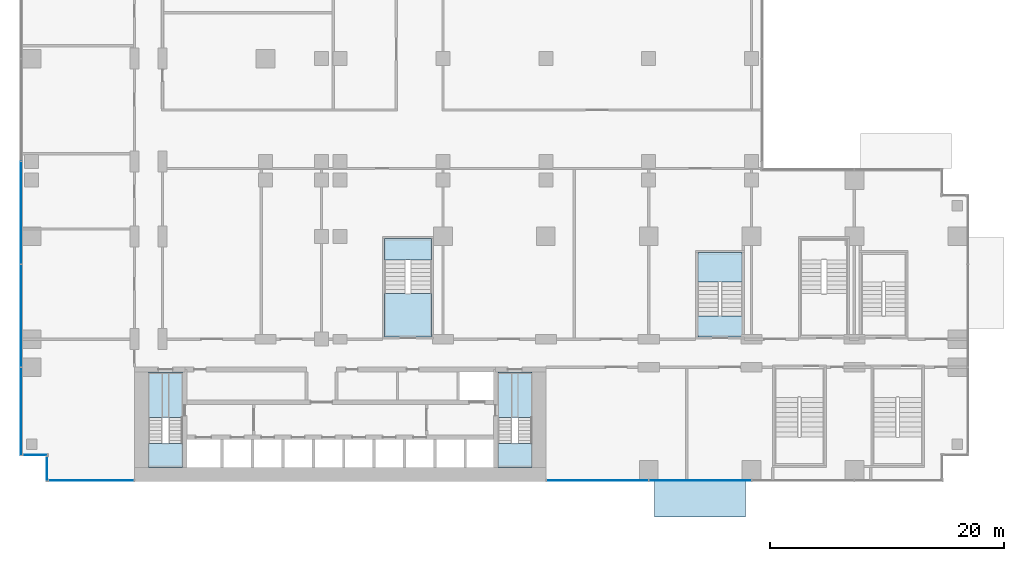
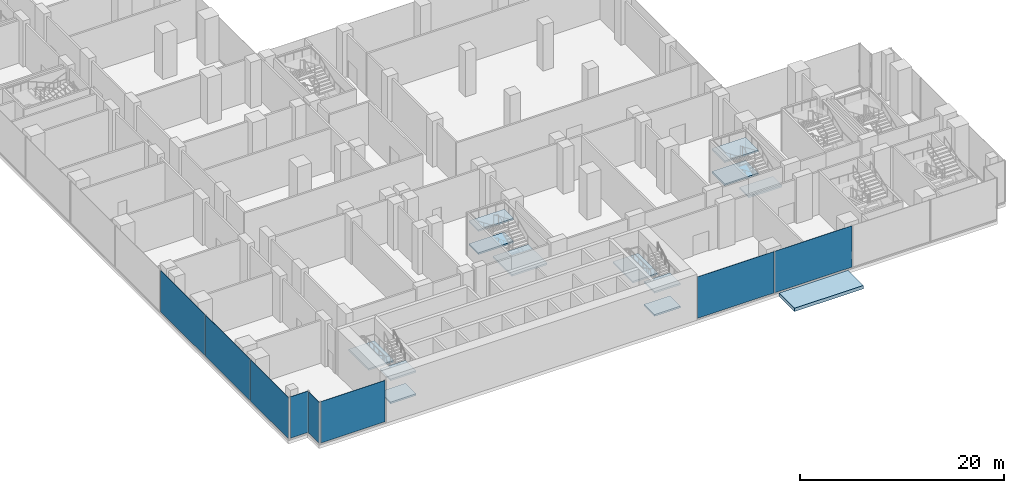
# One storey, part 12 of 30: 13 slabs, 8 plates, 9 elements without a shape of their own.
"""IFC4 building model written with IfcOpenShell, lengths in metres."""

import ifcopenshell
import ifcopenshell.guid

model = None  # the IFC model being written
_history = None  # IfcOwnerHistory: only IFC2X3 demands one
_inside = {}  # id of a spatial element -> (the spatial element, [elements in it])
_under = {}  # id of a project, library or spatial element -> (it, [spatial elements below it])
_declared = {}  # id of a project -> (the project, [libraries it declares])
_typed = {}  # id of a type object -> (the type object, [elements of that type])
_made_of = {}  # id of a material, layer set ... -> (it, [elements and type objects made of it])


def new_model(schema):
    """Start an empty IFC model of exactly this schema.

    Asked for "IFC4X3", IfcOpenShell would pick the latest addendum, in which some entities
    have other attributes; the version numbers below select the first issue.
    IFC2X3 requires an IfcOwnerHistory on every rooted entity: one is made here for all.
    """
    global model, _history
    if schema == "IFC4X3":
        model = ifcopenshell.file(schema_version=(4, 3, 0, 0))
    else:
        model = ifcopenshell.file(schema=schema)
    _inside.clear()
    _under.clear()
    _declared.clear()
    _typed.clear()
    _made_of.clear()
    _history = None
    if model.schema == "IFC2X3":
        org = make("IfcOrganization", Name="unknown")
        user = make(
            "IfcPersonAndOrganization",
            ThePerson=make("IfcPerson", FamilyName="unknown"),
            TheOrganization=org,
        )
        app = make(
            "IfcApplication",
            ApplicationDeveloper=org,
            Version="unknown",
            ApplicationFullName="unknown",
            ApplicationIdentifier="unknown",
        )
        _history = make(
            "IfcOwnerHistory",
            OwningUser=user,
            OwningApplication=app,
            ChangeAction="ADDED",
            CreationDate=0,
        )
    return model


def make(cls, **values):
    """One entity of the class cls with the attributes given. An attribute that is None is left unset."""
    return model.create_entity(
        cls, **{name: value for name, value in values.items() if value is not None}
    )


def rooted(cls, **values):
    """An entity with a GlobalId (a new one), such as an element, a storey or a relation."""
    return make(cls, GlobalId=ifcopenshell.guid.new(), OwnerHistory=_history, **values)


def si_unit(unit_type, name, prefix=None):
    """IfcSIUnit, for example si_unit("LENGTHUNIT", "METRE", prefix="MILLI")."""
    return make("IfcSIUnit", UnitType=unit_type, Prefix=prefix, Name=name)


def assignment(units):
    """IfcUnitAssignment: the units of a project."""
    return None if units is None else make("IfcUnitAssignment", Units=units)


def point(xyz):
    """IfcCartesianPoint."""
    return None if xyz is None else make("IfcCartesianPoint", Coordinates=xyz)


def direction(xyz):
    """IfcDirection."""
    return None if xyz is None else make("IfcDirection", DirectionRatios=xyz)


def frame(location, z_axis=None, x_axis=None):
    """IfcAxis2Placement3D, a coordinate frame: its origin and axes. An axis left out is left unset."""
    return make(
        "IfcAxis2Placement3D",
        Location=point(location),
        Axis=direction(z_axis),
        RefDirection=direction(x_axis),
    )


def frame_2d(location, x_axis=None):
    """IfcAxis2Placement2D, a coordinate frame in the plane: its origin and x axis."""
    return make(
        "IfcAxis2Placement2D", Location=point(location), RefDirection=direction(x_axis)
    )


def origin():
    """The frame at (0, 0, 0) with its axes left unset."""
    return frame((0.0, 0.0, 0.0))


def origin_2d():
    """The frame at (0, 0) in the plane with its x axis left unset."""
    return frame_2d((0.0, 0.0))


def place(relative_to, where):
    """IfcLocalPlacement: puts the frame where relative to a parent placement (None: the world)."""
    return make(
        "IfcLocalPlacement", PlacementRelTo=relative_to, RelativePlacement=where
    )


def context(
    kind, dimensions, precision=None, world=None, true_north=None, identifier=None
):
    """IfcGeometricRepresentationContext, for example the 3D "Model" context."""
    return make(
        "IfcGeometricRepresentationContext",
        ContextIdentifier=identifier,
        ContextType=kind,
        CoordinateSpaceDimension=dimensions,
        Precision=precision,
        WorldCoordinateSystem=world,
        TrueNorth=true_north,
    )


def subcontext(parent, identifier, kind, view, scale=None):
    """IfcGeometricRepresentationSubContext, for example "Body" below "Model"."""
    return make(
        "IfcGeometricRepresentationSubContext",
        ContextIdentifier=identifier,
        ContextType=kind,
        ParentContext=parent,
        TargetScale=scale,
        TargetView=view,
    )


def project(units=None, contexts=None):
    """IfcProject with its units and contexts."""
    return rooted(
        "IfcProject",
        Name="project",
        RepresentationContexts=contexts,
        UnitsInContext=assignment(units),
    )


def spatial(cls, under=None, at=None, **own):
    """A site, building, storey or space (cls), placed at a placement, below another one or the project."""
    s = rooted(cls, ObjectPlacement=at, **own)
    if under is not None:
        _under.setdefault(under.id(), (under, []))[1].append(s)
    return s


def polyline(points):
    """IfcPolyline through the points."""
    return make("IfcPolyline", Points=[point(p) for p in points])


def profile(cls, at=None, kind="AREA", **sizes):
    """A parametric profile (cls). Its sizes go by their IFC names, for example OverallWidth=200.0."""
    return make(cls, ProfileType=kind, Position=at, **sizes)


def rectangle(**sizes):
    """IfcRectangleProfileDef."""
    return profile("IfcRectangleProfileDef", **sizes)


def outline(outer, holes=None, kind="AREA"):
    """IfcArbitraryClosedProfileDef: a profile drawn as a closed curve; with holes, ...WithVoids."""
    if holes is None:
        return make("IfcArbitraryClosedProfileDef", ProfileType=kind, OuterCurve=outer)
    return make(
        "IfcArbitraryProfileDefWithVoids",
        ProfileType=kind,
        OuterCurve=outer,
        InnerCurves=holes,
    )


def extrude(swept, where, along, depth):
    """IfcExtrudedAreaSolid: the profile swept, set in the frame where, extruded along a direction by depth."""
    return make(
        "IfcExtrudedAreaSolid",
        SweptArea=swept,
        Position=where,
        ExtrudedDirection=direction(along),
        Depth=depth,
    )


def shape(context_of_items, identifier, shape_type, items):
    """IfcShapeRepresentation: the items that make up one representation, for example the "Body"."""
    return make(
        "IfcShapeRepresentation",
        ContextOfItems=context_of_items,
        RepresentationIdentifier=identifier,
        RepresentationType=shape_type,
        Items=items,
    )


def source(mapping_origin, context_of_items, identifier, shape_type, items):
    """IfcRepresentationMap: a shape defined once, which mapped items show again and again."""
    return make(
        "IfcRepresentationMap",
        MappingOrigin=mapping_origin,
        MappedRepresentation=shape(context_of_items, identifier, shape_type, items),
    )


def transform(
    local_origin,
    x_axis=None,
    y_axis=None,
    z_axis=None,
    scale=None,
    scale2=None,
    scale3=None,
    uniform=True,
):
    """IfcCartesianTransformationOperator3D, or its non-uniform kind. x_axis, y_axis, z_axis: its Axis1, 2, 3."""
    if uniform:
        return make(
            "IfcCartesianTransformationOperator3D",
            Axis1=direction(x_axis),
            Axis2=direction(y_axis),
            LocalOrigin=point(local_origin),
            Scale=scale,
            Axis3=direction(z_axis),
        )
    return make(
        "IfcCartesianTransformationOperator3DnonUniform",
        Axis1=direction(x_axis),
        Axis2=direction(y_axis),
        LocalOrigin=point(local_origin),
        Scale=scale,
        Axis3=direction(z_axis),
        Scale2=scale2,
        Scale3=scale3,
    )


def mapped(mapping_source, mapping_target):
    """IfcMappedItem: shows the shape of a source again, moved by a transform."""
    return make(
        "IfcMappedItem", MappingSource=mapping_source, MappingTarget=mapping_target
    )


def material(Name=None, Category=None):
    """IfcMaterial."""
    return make("IfcMaterial", Name=Name, Category=Category)


def layer(
    of_material, thickness, ventilated=None, Name=None, Category=None, Priority=None
):
    """IfcMaterialLayer: one layer of a wall or slab, of a material (None: an air gap)."""
    return make(
        "IfcMaterialLayer",
        Material=of_material,
        LayerThickness=thickness,
        IsVentilated=ventilated,
        Name=Name,
        Category=Category,
        Priority=Priority,
    )


def layer_set(layers, Name=None):
    """IfcMaterialLayerSet."""
    return make("IfcMaterialLayerSet", MaterialLayers=layers, LayerSetName=Name)


def made_of(thing, what):
    """Note that an element or type object is made of a material, layer set ...; save() writes the relation."""
    if what is not None:
        _made_of.setdefault(what.id(), (what, []))[1].append(thing)
    return thing


def type_object(cls, material=None, **own):
    """A type object (cls), such as IfcWallType, which elements share."""
    return made_of(rooted(cls, **own), material)


def element(
    cls,
    number,
    at=None,
    inside=None,
    cuts=None,
    type_object=None,
    material=None,
    context=None,
    identifier="Body",
    shape_type=None,
    held_by="IfcProductDefinitionShape",
    body=None,
    shapes=None,
    **own,
):
    """One element of the class cls, such as IfcWall. Its Tag is "e" and its number.

    at: its placement. inside: the storey or other place that contains it. cuts: it is an
    opening in that element (IfcRelVoidsElement). A single representation is given by context,
    identifier, shape_type and body (its items); several are given by shapes. held_by: the class
    of the entity that holds the representations. save() writes the other relations.
    """
    e = rooted(cls, Tag="e%d" % number, ObjectPlacement=at, **own)
    if body is not None:
        shapes = [shape(context, identifier, shape_type, body)]
    if shapes is not None:
        e.Representation = make(held_by, Representations=shapes)
    if inside is not None:
        _inside.setdefault(inside.id(), (inside, []))[1].append(e)
    if cuts is not None:
        rooted(
            "IfcRelVoidsElement", RelatingBuildingElement=cuts, RelatedOpeningElement=e
        )
    if type_object is not None:
        _typed.setdefault(type_object.id(), (type_object, []))[1].append(e)
    return made_of(e, material)


def aggregate(whole, parts):
    """IfcRelAggregates: a whole, such as a stair, and the parts it consists of."""
    return rooted("IfcRelAggregates", RelatingObject=whole, RelatedObjects=parts)


def save(model, path):
    """Write the relations noted so far, then the file.

    IfcRelAggregates (storeys below a building ...), IfcRelContainedInSpatialStructure (elements
    in a storey), IfcRelDefinesByType, IfcRelAssociatesMaterial and IfcRelDeclares: one each for
    every whole, place, type object, material and project.
    """
    for whole, parts in _under.values():
        aggregate(whole, parts)
    for where, things in _inside.values():
        rooted(
            "IfcRelContainedInSpatialStructure",
            RelatedElements=things,
            RelatingStructure=where,
        )
    for kind, things in _typed.values():
        rooted("IfcRelDefinesByType", RelatedObjects=things, RelatingType=kind)
    for what, things in _made_of.values():
        rooted("IfcRelAssociatesMaterial", RelatedObjects=things, RelatingMaterial=what)
    for by, libraries in _declared.values():
        rooted("IfcRelDeclares", RelatingContext=by, RelatedDefinitions=libraries)
    model.write(path)


model = new_model("IFC4")

# Units and contexts
model_context = context("Model", 3, precision=1e-05, world=origin(), true_north=direction((0.0, 1.0)))
body_context = subcontext(model_context, "Body", "Model", "MODEL_VIEW")
ifc_project = project(units=[si_unit("LENGTHUNIT", "METRE"), si_unit("AREAUNIT", "SQUARE_METRE"), si_unit("VOLUMEUNIT", "CUBIC_METRE"), si_unit("PLANEANGLEUNIT", "RADIAN"), si_unit("MASSUNIT", "GRAM", prefix="KILO")], contexts=[model_context])

# Site, building, storey
site_placement = place(None, origin())
site = spatial("IfcSite", under=ifc_project, at=site_placement, CompositionType="ELEMENT")
building_placement = place(site_placement, origin())
building = spatial("IfcBuilding", under=site, at=building_placement, Name="Kemantara Hotel Tower", CompositionType="ELEMENT")
storey_placement = place(building_placement, frame((0.0, 0.0, 7.5)))
storey = spatial("IfcBuildingStorey", under=building, at=storey_placement, Name="L01", CompositionType="ELEMENT", Elevation=7.5)

# Slab
ifc_material_1 = material(Name="Concrete K-500 (fc 42 MPa)", Category="concrete")
ifc_layer_1 = layer(ifc_material_1, 0.39990234375)
ifc_layer_set_1 = layer_set([ifc_layer_1], Name="Concrete K-500 (fc 42 MPa)")
slab_type_1 = type_object("IfcSlabType", Name="ENTRANCE CANOPY SLAB 400", PredefinedType="ROOF", material=ifc_layer_set_1)
slab_1_placement = place(storey_placement, frame((0.0, 0.0, -0.39990234375)))
element("IfcSlab", 1, at=slab_1_placement, inside=storey, type_object=slab_type_1, Name="ENTRANCE CANOPY STATION-S", PredefinedType="ROOF", context=body_context, shape_type="SweptSolid", body=[
    extrude(outline(polyline([(54.300048828125, 0.0), (62.10009765625, 0.0), (62.10009765625, -3.0), (54.300048828125, -3.0), (54.300048828125, 0.0)])), origin(), (0.0, 0.0, 1.0), 0.39990234375),
])

# Stair, slabs
ifc_material_2 = material(Name="Concrete fc 40 MPa", Category="concrete")
stair_type_1 = type_object("IfcStairType", Name="Stair 1200 wide 36 risers of 153 x 280 mm", PredefinedType="HALF_TURN_STAIR", material=ifc_material_2)
stair_1_placement = place(storey_placement, origin())
stair_1 = element("IfcStair", 2, at=stair_1_placement, inside=storey, type_object=stair_type_1, Name="L01 Exit stair ST1", PredefinedType="HALF_TURN_STAIR")
ifc_layer_2 = layer(ifc_material_2, 0.199951171875)
ifc_layer_set_2 = layer_set([ifc_layer_2], Name="Concrete fc 40 MPa")
slab_type_2 = type_object("IfcSlabType", Name="Stair landing 200 mm", PredefinedType="LANDING", material=ifc_layer_set_2)
slab_2_placement = place(storey_placement, frame((0.0, 0.0, 1.175048828125)))
slab_2 = element("IfcSlab", 3, at=slab_2_placement, type_object=slab_type_2, Name="ST1 landing 1", PredefinedType="LANDING", context=body_context, shape_type="SweptSolid", body=[
    extrude(outline(polyline([(11.0, 3.260009765625), (11.0, 1.199951171875), (13.89990234375, 1.199951171875), (13.89990234375, 3.260009765625), (11.0, 3.260009765625)])), origin(), (0.0, 0.0, 1.0), 0.199951171875),
])
slab_3_placement = place(storey_placement, frame((0.0, 0.0, 2.550048828125)))
slab_3 = element("IfcSlab", 4, at=slab_3_placement, type_object=slab_type_2, Name="ST1 landing 2", PredefinedType="LANDING", context=body_context, shape_type="SweptSolid", body=[
    extrude(outline(polyline([(11.0, 9.39990234375), (11.0, 5.5), (13.89990234375, 5.5), (13.89990234375, 9.39990234375), (11.0, 9.39990234375)])), origin(), (0.0, 0.0, 1.0), 0.199951171875),
])
slab_4_placement = place(storey_placement, frame((0.0, 0.0, 3.925048828125)))
slab_4 = element("IfcSlab", 5, at=slab_4_placement, type_object=slab_type_2, Name="ST1 landing 3", PredefinedType="LANDING", context=body_context, shape_type="SweptSolid", body=[
    extrude(outline(polyline([(11.0, 3.260009765625), (11.0, 1.199951171875), (13.89990234375, 1.199951171875), (13.89990234375, 3.260009765625), (11.0, 3.260009765625)])), origin(), (0.0, 0.0, 1.0), 0.199951171875),
])
aggregate(stair_1, [slab_2, slab_3, slab_4])

stair_2_placement = place(storey_placement, origin())
stair_2 = element("IfcStair", 6, at=stair_2_placement, inside=storey, type_object=stair_type_1, Name="L01 Exit stair ST2", PredefinedType="HALF_TURN_STAIR")
slab_5_placement = place(storey_placement, frame((0.0, 0.0, 1.175048828125)))
slab_5 = element("IfcSlab", 7, at=slab_5_placement, type_object=slab_type_2, Name="ST2 landing 1", PredefinedType="LANDING", context=body_context, shape_type="SweptSolid", body=[
    extrude(outline(polyline([(40.89990234375, 3.260009765625), (40.89990234375, 1.199951171875), (43.800048828125, 1.199951171875), (43.800048828125, 3.260009765625), (40.89990234375, 3.260009765625)])), origin(), (0.0, 0.0, 1.0), 0.199951171875),
])
slab_6_placement = place(storey_placement, frame((0.0, 0.0, 2.550048828125)))
slab_6 = element("IfcSlab", 8, at=slab_6_placement, type_object=slab_type_2, Name="ST2 landing 2", PredefinedType="LANDING", context=body_context, shape_type="SweptSolid", body=[
    extrude(outline(polyline([(40.89990234375, 9.39990234375), (40.89990234375, 5.5), (43.800048828125, 5.5), (43.800048828125, 9.39990234375), (40.89990234375, 9.39990234375)])), origin(), (0.0, 0.0, 1.0), 0.199951171875),
])
slab_7_placement = place(storey_placement, frame((0.0, 0.0, 3.925048828125)))
slab_7 = element("IfcSlab", 9, at=slab_7_placement, type_object=slab_type_2, Name="ST2 landing 3", PredefinedType="LANDING", context=body_context, shape_type="SweptSolid", body=[
    extrude(outline(polyline([(40.89990234375, 3.260009765625), (40.89990234375, 1.199951171875), (43.800048828125, 1.199951171875), (43.800048828125, 3.260009765625), (40.89990234375, 3.260009765625)])), origin(), (0.0, 0.0, 1.0), 0.199951171875),
])
aggregate(stair_2, [slab_5, slab_6, slab_7])

stair_type_2 = type_object("IfcStairType", Name="Stair 1800 wide 36 risers of 153 x 360 mm", PredefinedType="HALF_TURN_STAIR", material=ifc_material_2)
stair_3_placement = place(storey_placement, origin())
stair_3 = element("IfcStair", 10, at=stair_3_placement, inside=storey, type_object=stair_type_2, Name="L01 Exit stair ST3", PredefinedType="HALF_TURN_STAIR")
slab_8_placement = place(storey_placement, frame((0.0, 0.0, 1.175048828125)))
slab_8 = element("IfcSlab", 11, at=slab_8_placement, type_object=slab_type_2, Name="ST3 landing 1", PredefinedType="LANDING", context=body_context, shape_type="SweptSolid", body=[
    extrude(outline(polyline([(61.800048828125, 17.080078125), (61.800048828125, 19.60009765625), (58.0, 19.60009765625), (58.0, 17.080078125), (61.800048828125, 17.080078125)])), origin(), (0.0, 0.0, 1.0), 0.199951171875),
])
slab_9_placement = place(storey_placement, frame((0.0, 0.0, 2.550048828125)))
slab_9 = element("IfcSlab", 12, at=slab_9_placement, type_object=slab_type_2, Name="ST3 landing 2", PredefinedType="LANDING", context=body_context, shape_type="SweptSolid", body=[
    extrude(outline(polyline([(61.800048828125, 12.39990234375), (61.800048828125, 14.199951171875), (58.0, 14.199951171875), (58.0, 12.39990234375), (61.800048828125, 12.39990234375)])), origin(), (0.0, 0.0, 1.0), 0.199951171875),
])
slab_10_placement = place(storey_placement, frame((0.0, 0.0, 3.925048828125)))
slab_10 = element("IfcSlab", 13, at=slab_10_placement, type_object=slab_type_2, Name="ST3 landing 3", PredefinedType="LANDING", context=body_context, shape_type="SweptSolid", body=[
    extrude(outline(polyline([(61.800048828125, 17.080078125), (61.800048828125, 19.60009765625), (58.0, 19.60009765625), (58.0, 17.080078125), (61.800048828125, 17.080078125)])), origin(), (0.0, 0.0, 1.0), 0.199951171875),
])
aggregate(stair_3, [slab_8, slab_9, slab_10])

stair_4_placement = place(storey_placement, origin())
stair_4 = element("IfcStair", 14, at=stair_4_placement, inside=storey, type_object=stair_type_2, Name="L01 Stair PS3", PredefinedType="HALF_TURN_STAIR")
slab_11_placement = place(storey_placement, frame((0.0, 0.0, 1.175048828125)))
slab_11 = element("IfcSlab", 15, at=slab_11_placement, type_object=slab_type_2, Name="PS3 landing 1", PredefinedType="LANDING", context=body_context, shape_type="SweptSolid", body=[
    extrude(outline(polyline([(35.199951171875, 18.97998046875), (35.199951171875, 20.800048828125), (31.199951171875, 20.800048828125), (31.199951171875, 18.97998046875), (35.199951171875, 18.97998046875)])), origin(), (0.0, 0.0, 1.0), 0.199951171875),
])
slab_12_placement = place(storey_placement, frame((0.0, 0.0, 2.550048828125)))
slab_12 = element("IfcSlab", 16, at=slab_12_placement, type_object=slab_type_2, Name="PS3 landing 2", PredefinedType="LANDING", context=body_context, shape_type="SweptSolid", body=[
    extrude(outline(polyline([(35.199951171875, 12.39990234375), (35.199951171875, 16.10009765625), (31.199951171875, 16.10009765625), (31.199951171875, 12.39990234375), (35.199951171875, 12.39990234375)])), origin(), (0.0, 0.0, 1.0), 0.199951171875),
])
slab_13_placement = place(storey_placement, frame((0.0, 0.0, 3.925048828125)))
slab_13 = element("IfcSlab", 17, at=slab_13_placement, type_object=slab_type_2, Name="PS3 landing 3", PredefinedType="LANDING", context=body_context, shape_type="SweptSolid", body=[
    extrude(outline(polyline([(35.199951171875, 18.97998046875), (35.199951171875, 20.800048828125), (31.199951171875, 20.800048828125), (31.199951171875, 18.97998046875), (35.199951171875, 18.97998046875)])), origin(), (0.0, 0.0, 1.0), 0.199951171875),
])
aggregate(stair_4, [slab_11, slab_12, slab_13])

# Curtain wall, plate
ifc_material_3 = material(Name="Laminated tinted insulated glass 44 mm", Category="glass")
curtain_wall_type = type_object("IfcCurtainWallType", Name="PODIUM GLASS CURTAIN WALL", PredefinedType="USERDEFINED", material=ifc_material_3)
curtain_wall_1_placement = place(storey_placement, origin())
curtain_wall_1 = element("IfcCurtainWall", 18, at=curtain_wall_1_placement, inside=storey, type_object=curtain_wall_type, Name="CW1 L01 POD-R01-1", ObjectType="PODIUM GLASS CURTAIN WALL", PredefinedType="USERDEFINED")
ifc_layer_3 = layer(ifc_material_3, 0.0439453125)
ifc_layer_set_3 = layer_set([ifc_layer_3], Name="Laminated tinted insulated glass 44 mm")
plate_type = type_object("IfcPlateType", Name="PODIUM GLASS CURTAIN WALL PANEL", PredefinedType="CURTAIN_PANEL", material=ifc_layer_set_3)
shared_shape_1 = source(origin(), body_context, "Body", "SweptSolid", [
    extrude(rectangle(XDim=7.25, YDim=0.0439453125, at=origin_2d()), origin(), (0.0, 0.0, 1.0), 4.949951171875),
])
plate_1_placement = place(storey_placement, frame((6.10009765625, 0.10009765625, 0.14990234375), z_axis=(0.0, 0.0, 1.0), x_axis=(1.0, 0.0, 0.0)))
plate_1 = element("IfcPlate", 19, at=plate_1_placement, type_object=plate_type, Name="CW1 glass panel POD-R01-1.1", PredefinedType="CURTAIN_PANEL", context=body_context, shape_type="MappedRepresentation", body=[
    mapped(shared_shape_1, transform((0.0, 0.0, 0.0))),
])
aggregate(curtain_wall_1, [plate_1])

# Curtain wall, plates
curtain_wall_2_placement = place(storey_placement, origin())
curtain_wall_2 = element("IfcCurtainWall", 20, at=curtain_wall_2_placement, inside=storey, type_object=curtain_wall_type, Name="CW1 L01 POD-R01-2", ObjectType="PODIUM GLASS CURTAIN WALL", PredefinedType="USERDEFINED")
shared_shape_2 = source(origin(), body_context, "Body", "SweptSolid", [
    extrude(rectangle(XDim=8.6875, YDim=0.0439453125, at=origin_2d()), origin(), (0.0, 0.0, 1.0), 4.949951171875),
])
plate_2_placement = place(storey_placement, frame((49.418701171875, 0.10009765625, 0.14990234375), z_axis=(0.0, 0.0, 1.0), x_axis=(1.0, 0.0, 0.0)))
plate_2 = element("IfcPlate", 21, at=plate_2_placement, type_object=plate_type, Name="CW1 glass panel POD-R01-2.1", PredefinedType="CURTAIN_PANEL", context=body_context, shape_type="MappedRepresentation", body=[
    mapped(shared_shape_2, transform((0.0, 0.0, 0.0))),
])
shared_shape_3 = source(origin(), body_context, "Body", "SweptSolid", [
    extrude(rectangle(XDim=8.72509765625, YDim=0.0439453125, at=origin_2d()), origin(), (0.0, 0.0, 1.0), 4.949951171875),
])
plate_3_placement = place(storey_placement, frame((58.199951171875, 0.10009765625, 0.14990234375), z_axis=(0.0, 0.0, 1.0), x_axis=(1.0, 0.0, 0.0)))
plate_3 = element("IfcPlate", 22, at=plate_3_placement, type_object=plate_type, Name="CW1 glass panel POD-R01-2.2", PredefinedType="CURTAIN_PANEL", context=body_context, shape_type="MappedRepresentation", body=[
    mapped(shared_shape_3, transform((0.0, 0.0, 0.0))),
])
aggregate(curtain_wall_2, [plate_2, plate_3])

curtain_wall_3_placement = place(storey_placement, origin())
curtain_wall_3 = element("IfcCurtainWall", 23, at=curtain_wall_3_placement, inside=storey, type_object=curtain_wall_type, Name="CW1 L01 POD-R16-1", ObjectType="PODIUM GLASS CURTAIN WALL", PredefinedType="USERDEFINED")
plate_4_placement = place(storey_placement, frame((0.10009765625, 23.0, 0.14990234375), z_axis=(0.0, 0.0, 1.0), x_axis=(0.0, -1.0, 0.0)))
plate_4 = element("IfcPlate", 24, at=plate_4_placement, type_object=plate_type, Name="CW1 glass panel POD-R16-1.7", PredefinedType="CURTAIN_PANEL", context=body_context, shape_type="MappedRepresentation", body=[
    mapped(shared_shape_3, transform((0.0, 0.0, 0.0))),
])
plate_5_placement = place(storey_placement, frame((0.10009765625, 14.199951171875, 0.14990234375), z_axis=(0.0, 0.0, 1.0), x_axis=(0.0, -1.0, 0.0)))
plate_5 = element("IfcPlate", 25, at=plate_5_placement, type_object=plate_type, Name="CW1 glass panel POD-R16-1.8", PredefinedType="CURTAIN_PANEL", context=body_context, shape_type="MappedRepresentation", body=[
    mapped(shared_shape_3, transform((0.0, 0.0, 0.0))),
])
shared_shape_4 = source(origin(), body_context, "Body", "SweptSolid", [
    extrude(rectangle(XDim=7.487548828125, YDim=0.0439453125, at=origin_2d()), origin(), (0.0, 0.0, 1.0), 4.949951171875),
])
plate_6_placement = place(storey_placement, frame((0.10009765625, 6.018798828125, 0.14990234375), z_axis=(0.0, 0.0, 1.0), x_axis=(0.0, -1.0, 0.0)))
plate_6 = element("IfcPlate", 26, at=plate_6_placement, type_object=plate_type, Name="CW1 glass panel POD-R16-1.9", PredefinedType="CURTAIN_PANEL", context=body_context, shape_type="MappedRepresentation", body=[
    mapped(shared_shape_4, transform((0.0, 0.0, 0.0))),
])
aggregate(curtain_wall_3, [plate_4, plate_5, plate_6])

# Curtain wall, plate
curtain_wall_4_placement = place(storey_placement, origin())
curtain_wall_4 = element("IfcCurtainWall", 27, at=curtain_wall_4_placement, inside=storey, type_object=curtain_wall_type, Name="CW1 L01 POD-R00-1", ObjectType="PODIUM GLASS CURTAIN WALL", PredefinedType="USERDEFINED")
shared_shape_5 = source(origin(), body_context, "Body", "SweptSolid", [
    extrude(rectangle(XDim=2.050048828125, YDim=0.0439453125, at=origin_2d()), origin(), (0.0, 0.0, 1.0), 4.949951171875),
])
plate_7_placement = place(storey_placement, frame((2.300048828125, 1.10009765625, 0.14990234375), z_axis=(0.0, 0.0, 1.0), x_axis=(0.0, -1.0, 0.0)))
plate_7 = element("IfcPlate", 28, at=plate_7_placement, type_object=plate_type, Name="CW1 glass panel POD-R00-1.1", PredefinedType="CURTAIN_PANEL", context=body_context, shape_type="MappedRepresentation", body=[
    mapped(shared_shape_5, transform((0.0, 0.0, 0.0))),
])
aggregate(curtain_wall_4, [plate_7])

curtain_wall_5_placement = place(storey_placement, origin())
curtain_wall_5 = element("IfcCurtainWall", 29, at=curtain_wall_5_placement, inside=storey, type_object=curtain_wall_type, Name="CW1 L01 POD-R17-1", ObjectType="PODIUM GLASS CURTAIN WALL", PredefinedType="USERDEFINED")
plate_8_placement = place(storey_placement, frame((1.300048828125, 2.300048828125, 0.14990234375), z_axis=(0.0, 0.0, 1.0), x_axis=(1.0, 0.0, 0.0)))
plate_8 = element("IfcPlate", 30, at=plate_8_placement, type_object=plate_type, Name="CW1 glass panel POD-R17-1.1", PredefinedType="CURTAIN_PANEL", context=body_context, shape_type="MappedRepresentation", body=[
    mapped(shared_shape_5, transform((0.0, 0.0, 0.0))),
])
aggregate(curtain_wall_5, [plate_8])

save(model, "model.ifc")
